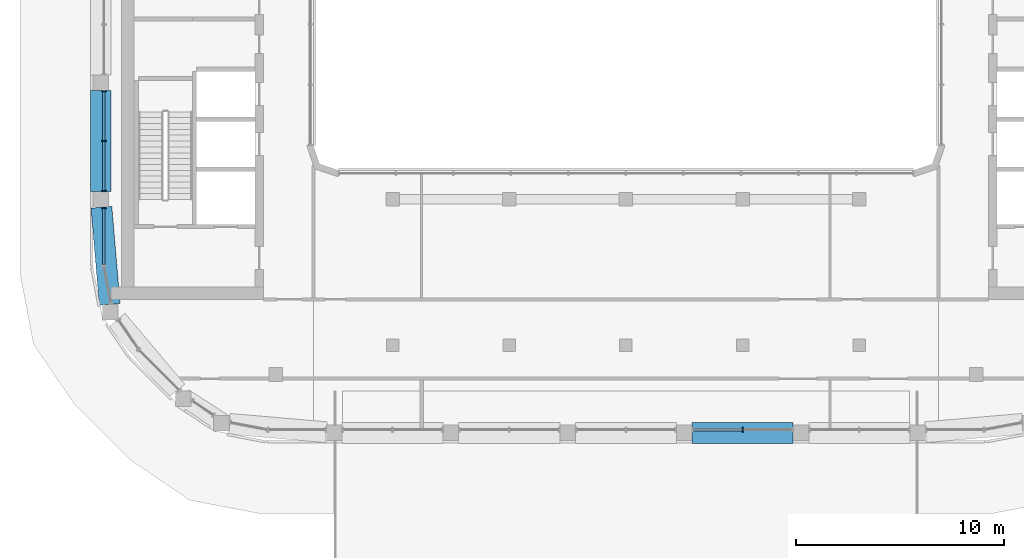
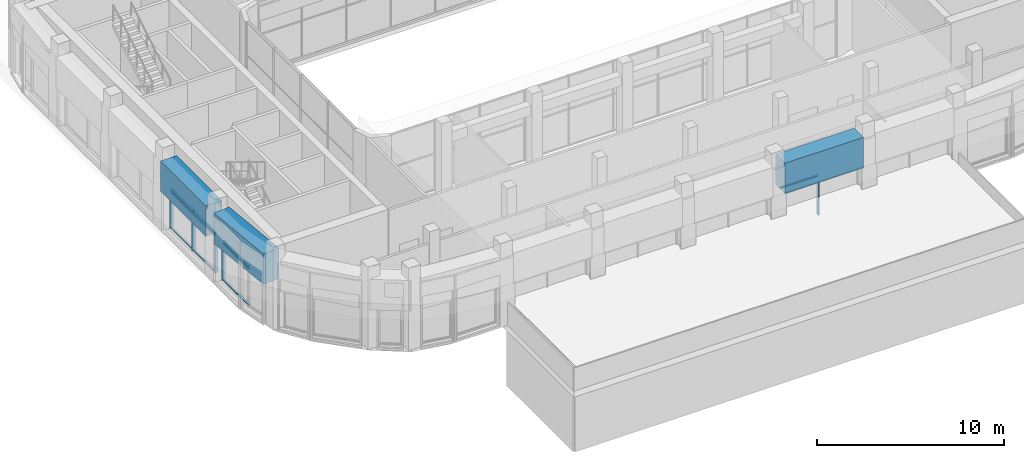
# One storey, part 3 of 23: 15 members, 3 beams, 3 elements without a shape of their own.
"""IFC4 building model written with IfcOpenShell, lengths in metres."""

from ifc_helpers import new_model, si_unit, direction, frame, origin, origin_2d, place, context, subcontext, project, spatial, rectangle, extrude, material, layer, layer_set, material_profile, profile_set, type_object, element, aggregate, save


model = new_model("IFC4")

# Units and contexts
model_context = context("Model", 3, precision=1e-05, world=origin(), true_north=direction((0.0, 1.0)))
body_context = subcontext(model_context, "Body", "Model", "MODEL_VIEW")
ifc_project = project(units=[si_unit("LENGTHUNIT", "METRE"), si_unit("AREAUNIT", "SQUARE_METRE"), si_unit("VOLUMEUNIT", "CUBIC_METRE"), si_unit("PLANEANGLEUNIT", "RADIAN"), si_unit("MASSUNIT", "GRAM", prefix="KILO")], contexts=[model_context])

# Site, building, storey
site_placement = place(None, origin())
site = spatial("IfcSite", under=ifc_project, at=site_placement, CompositionType="ELEMENT")
building_placement = place(site_placement, origin())
building = spatial("IfcBuilding", under=site, at=building_placement, Name="Kiln Ring Residences", CompositionType="ELEMENT")
storey_placement = place(building_placement, frame((0.0, 0.0, 294.5)))
storey = spatial("IfcBuildingStorey", under=building, at=storey_placement, Name="L76", CompositionType="ELEMENT", Elevation=294.5)

# Curtain wall, member
ifc_material_1 = material(Name="Aluminium and glass", Category="aluminium")
ifc_layer = layer(ifc_material_1, 0.219970703125)
ifc_layer_set = layer_set([ifc_layer], Name="CW5 CURTAIN WALL")
curtain_wall_type = type_object("IfcCurtainWallType", Name="CW5 CURTAIN WALL", PredefinedType="NOTDEFINED", material=ifc_layer_set)
placement = place(storey_placement, origin())
curtain_wall_1 = element("IfcCurtainWall", 1, at=placement, inside=storey, type_object=curtain_wall_type, Name="Curtain wall CW5 L76", PredefinedType="NOTDEFINED")
ifc_material_2 = material(Name="Aluminium 6063-T6", Category="aluminium")
ifc_material_profile_1 = material_profile(ifc_material_2, rectangle(XDim=0.219970703125, YDim=0.06005859375, at=origin_2d()), Name="AL 220x60")
ifc_profile_set_1 = profile_set([ifc_material_profile_1], Name="Aluminium 6063-T6")
member_type_1 = type_object("IfcMemberType", Name="CW5 MULLION 220 x 60", PredefinedType="MULLION", material=ifc_profile_set_1)
member_1_placement = place(storey_placement, frame((5.60009765625, -19.449951171875, 0.0), z_axis=(0.0, 0.0, 1.0), x_axis=(0.0, 1.0, 0.0)))
member_1 = element("IfcMember", 2, at=member_1_placement, type_object=member_type_1, Name="CW5 mullion 2", PredefinedType="MULLION", context=body_context, shape_type="SweptSolid", body=[
    extrude(rectangle(XDim=0.219970703125, YDim=0.06005859375, at=origin_2d()), origin(), (0.0, 0.0, 1.0), 2.60009765625),
])

# Curtain wall, members
curtain_wall_2 = element("IfcCurtainWall", 3, at=placement, inside=storey, type_object=curtain_wall_type, Name="Curtain wall CW5 L76", PredefinedType="NOTDEFINED")
member_2_placement = place(storey_placement, frame((-25.050048828125, -3.205078125, 0.0), z_axis=(0.0, 0.0, 1.0), x_axis=(1.0, 0.0, 0.0)))
member_2 = element("IfcMember", 4, at=member_2_placement, type_object=member_type_1, Name="CW5 mullion 1", PredefinedType="MULLION", context=body_context, shape_type="SweptSolid", body=[
    extrude(rectangle(XDim=0.219970703125, YDim=0.06005859375, at=origin_2d()), origin(), (0.0, 0.0, 1.0), 2.60009765625),
])
member_3_placement = place(storey_placement, frame((-25.050048828125, -5.60009765625, 0.0), z_axis=(0.0, 0.0, 1.0), x_axis=(1.0, 0.0, 0.0)))
member_3 = element("IfcMember", 5, at=member_3_placement, type_object=member_type_1, Name="CW5 mullion 2", PredefinedType="MULLION", context=body_context, shape_type="SweptSolid", body=[
    extrude(rectangle(XDim=0.219970703125, YDim=0.06005859375, at=origin_2d()), origin(), (0.0, 0.0, 1.0), 2.60009765625),
])
member_4_placement = place(storey_placement, frame((-25.050048828125, -7.9951171875, 0.0), z_axis=(0.0, 0.0, 1.0), x_axis=(1.0, 0.0, 0.0)))
member_4 = element("IfcMember", 6, at=member_4_placement, type_object=member_type_1, Name="CW5 mullion 3", PredefinedType="MULLION", context=body_context, shape_type="SweptSolid", body=[
    extrude(rectangle(XDim=0.219970703125, YDim=0.06005859375, at=origin_2d()), origin(), (0.0, 0.0, 1.0), 2.60009765625),
])

# Curtain wall, member
curtain_wall_3 = element("IfcCurtainWall", 7, at=placement, inside=storey, type_object=curtain_wall_type, Name="Curtain wall CW5 L76", PredefinedType="NOTDEFINED")
member_5_placement = place(storey_placement, frame((-25.050048828125, -8.804931640625, 0.0), z_axis=(0.0, 0.0, 1.0), x_axis=(1.0, 0.0, 0.0)))
member_5 = element("IfcMember", 8, at=member_5_placement, type_object=member_type_1, Name="CW5 mullion 1", PredefinedType="MULLION", context=body_context, shape_type="SweptSolid", body=[
    extrude(rectangle(XDim=0.219970703125, YDim=0.06005859375, at=origin_2d()), origin(), (0.0, 0.0, 1.0), 2.60009765625),
])

# Member
ifc_material_3 = material(Name="Aluminium 6063-T6", Category="aluminium")
ifc_material_profile_2 = material_profile(ifc_material_3, rectangle(XDim=0.1201171875, YDim=0.06005859375, at=origin_2d()), Name="AL 120x60")
ifc_profile_set_2 = profile_set([ifc_material_profile_2], Name="Aluminium 6063-T6")
member_type_2 = type_object("IfcMemberType", Name="CW5 TRANSOM 120 x 60", PredefinedType="USERDEFINED", material=ifc_profile_set_2)
member_6_placement = place(storey_placement, frame((3.235107421875, -19.449951171875, 2.570068359375), z_axis=(1.0, 0.0, 0.0), x_axis=(0.0, 1.0, 0.0)))
member_6 = element("IfcMember", 9, at=member_6_placement, type_object=member_type_2, Name="CW5 transom 1.3", ObjectType="TRANSOM", PredefinedType="USERDEFINED", context=body_context, shape_type="SweptSolid", body=[
    extrude(rectangle(XDim=0.1201171875, YDim=0.06005859375, at=origin_2d()), origin(), (0.0, 0.0, 1.0), 2.3349609375),
])

aggregate(curtain_wall_1, [member_1, member_6])

member_7_placement = place(storey_placement, frame((-25.050048828125, -3.235107421875, 0.030029296875), z_axis=(0.0, -1.0, 0.0), x_axis=(1.0, 0.0, 0.0)))
member_7 = element("IfcMember", 10, at=member_7_placement, type_object=member_type_2, Name="CW5 transom 1.1", ObjectType="TRANSOM", PredefinedType="USERDEFINED", context=body_context, shape_type="SweptSolid", body=[
    extrude(rectangle(XDim=0.1201171875, YDim=0.06005859375, at=origin_2d()), origin(), (0.0, 0.0, 1.0), 2.3349609375),
])

member_8_placement = place(storey_placement, frame((-25.050048828125, -3.235107421875, 2.39990234375), z_axis=(0.0, -1.0, 0.0), x_axis=(1.0, 0.0, 0.0)))
member_8 = element("IfcMember", 11, at=member_8_placement, type_object=member_type_2, Name="CW5 transom 1.2", ObjectType="TRANSOM", PredefinedType="USERDEFINED", context=body_context, shape_type="SweptSolid", body=[
    extrude(rectangle(XDim=0.1201171875, YDim=0.06005859375, at=origin_2d()), origin(), (0.0, 0.0, 1.0), 2.3349609375),
])

member_9_placement = place(storey_placement, frame((-25.050048828125, -3.235107421875, 2.570068359375), z_axis=(0.0, -1.0, 0.0), x_axis=(1.0, 0.0, 0.0)))
member_9 = element("IfcMember", 12, at=member_9_placement, type_object=member_type_2, Name="CW5 transom 1.3", ObjectType="TRANSOM", PredefinedType="USERDEFINED", context=body_context, shape_type="SweptSolid", body=[
    extrude(rectangle(XDim=0.1201171875, YDim=0.06005859375, at=origin_2d()), origin(), (0.0, 0.0, 1.0), 2.3349609375),
])

member_10_placement = place(storey_placement, frame((-25.050048828125, -5.6298828125, 0.030029296875), z_axis=(0.0, -1.0, 0.0), x_axis=(1.0, 0.0, 0.0)))
member_10 = element("IfcMember", 13, at=member_10_placement, type_object=member_type_2, Name="CW5 transom 2.1", ObjectType="TRANSOM", PredefinedType="USERDEFINED", context=body_context, shape_type="SweptSolid", body=[
    extrude(rectangle(XDim=0.1201171875, YDim=0.06005859375, at=origin_2d()), origin(), (0.0, 0.0, 1.0), 2.335205078125),
])

member_11_placement = place(storey_placement, frame((-25.050048828125, -5.6298828125, 2.39990234375), z_axis=(0.0, -1.0, 0.0), x_axis=(1.0, 0.0, 0.0)))
member_11 = element("IfcMember", 14, at=member_11_placement, type_object=member_type_2, Name="CW5 transom 2.2", ObjectType="TRANSOM", PredefinedType="USERDEFINED", context=body_context, shape_type="SweptSolid", body=[
    extrude(rectangle(XDim=0.1201171875, YDim=0.06005859375, at=origin_2d()), origin(), (0.0, 0.0, 1.0), 2.335205078125),
])

member_12_placement = place(storey_placement, frame((-25.050048828125, -5.6298828125, 2.570068359375), z_axis=(0.0, -1.0, 0.0), x_axis=(1.0, 0.0, 0.0)))
member_12 = element("IfcMember", 15, at=member_12_placement, type_object=member_type_2, Name="CW5 transom 2.3", ObjectType="TRANSOM", PredefinedType="USERDEFINED", context=body_context, shape_type="SweptSolid", body=[
    extrude(rectangle(XDim=0.1201171875, YDim=0.06005859375, at=origin_2d()), origin(), (0.0, 0.0, 1.0), 2.335205078125),
])

aggregate(curtain_wall_2, [member_2, member_3, member_4, member_7, member_8, member_9, member_10, member_11, member_12])

member_13_placement = place(storey_placement, frame((-25.050048828125, -8.8349609375, 0.030029296875), z_axis=(0.0, -1.0, 0.0), x_axis=(1.0, 0.0, 0.0)))
member_13 = element("IfcMember", 16, at=member_13_placement, type_object=member_type_2, Name="CW5 transom 1.1", ObjectType="TRANSOM", PredefinedType="USERDEFINED", context=body_context, shape_type="SweptSolid", body=[
    extrude(rectangle(XDim=0.1201171875, YDim=0.06005859375, at=origin_2d()), origin(), (0.0, 0.0, 1.0), 2.705078125),
])

member_14_placement = place(storey_placement, frame((-25.050048828125, -8.8349609375, 2.39990234375), z_axis=(0.0, -1.0, 0.0), x_axis=(1.0, 0.0, 0.0)))
member_14 = element("IfcMember", 17, at=member_14_placement, type_object=member_type_2, Name="CW5 transom 1.2", ObjectType="TRANSOM", PredefinedType="USERDEFINED", context=body_context, shape_type="SweptSolid", body=[
    extrude(rectangle(XDim=0.1201171875, YDim=0.06005859375, at=origin_2d()), origin(), (0.0, 0.0, 1.0), 2.705078125),
])

member_15_placement = place(storey_placement, frame((-25.050048828125, -8.8349609375, 2.570068359375), z_axis=(0.0, -1.0, 0.0), x_axis=(1.0, 0.0, 0.0)))
member_15 = element("IfcMember", 18, at=member_15_placement, type_object=member_type_2, Name="CW5 transom 1.3", ObjectType="TRANSOM", PredefinedType="USERDEFINED", context=body_context, shape_type="SweptSolid", body=[
    extrude(rectangle(XDim=0.1201171875, YDim=0.06005859375, at=origin_2d()), origin(), (0.0, 0.0, 1.0), 2.705078125),
])

aggregate(curtain_wall_3, [member_5, member_13, member_14, member_15])

# Beams
ifc_material_4 = material(Name="Concrete C70/85", Category="concrete")
ifc_material_profile_3 = material_profile(ifc_material_4, rectangle(XDim=1.0, YDim=2.0, at=origin_2d()), Name="RC1000x2000")
ifc_profile_set_3 = profile_set([ifc_material_profile_3], Name="Concrete C70/85")
beam_type = type_object("IfcBeamType", Name="Transfer girder RC1000x2000 C70/85", PredefinedType="BEAM", material=ifc_profile_set_3)
for number, where, z_axis, x_axis, name in (
    (19, (3.175048828125, -19.60009765625, 3.60009765625), (1.0, 0.0, 0.0), (0.0, 1.0, 0.0), "Transfer girder L76 5"),
    (20, (-25.199951171875, -3.175048828125, 3.60009765625), (0.0, -1.0, 0.0), (1.0, 0.0, 0.0), "Transfer girder L76 29"),
):
    element("IfcBeam", number, at=place(storey_placement, frame(where, z_axis=z_axis, x_axis=x_axis)), inside=storey, type_object=beam_type, Name=name, PredefinedType="BEAM", context=body_context, shape_type="SweptSolid", body=[
        extrude(rectangle(XDim=1.0, YDim=2.0, at=origin_2d()), origin(), (0.0, 0.0, 1.0), 4.849853515625),
    ])
beam_placement = place(storey_placement, frame((-25.16796875, -8.77490234375, 3.60009765625), z_axis=(0.085110864913, -0.996371487285, 0.0), x_axis=(0.996371487285, 0.085110864913, 0.0)))
element("IfcBeam", 21, at=beam_placement, inside=storey, type_object=beam_type, Name="Transfer girder L76 30", PredefinedType="BEAM", context=body_context, shape_type="SweptSolid", body=[
    extrude(rectangle(XDim=1.0, YDim=2.0, at=origin_2d()), origin(), (0.0, 0.0, 1.0), 4.675537109375),
])

save(model, "model.ifc")
